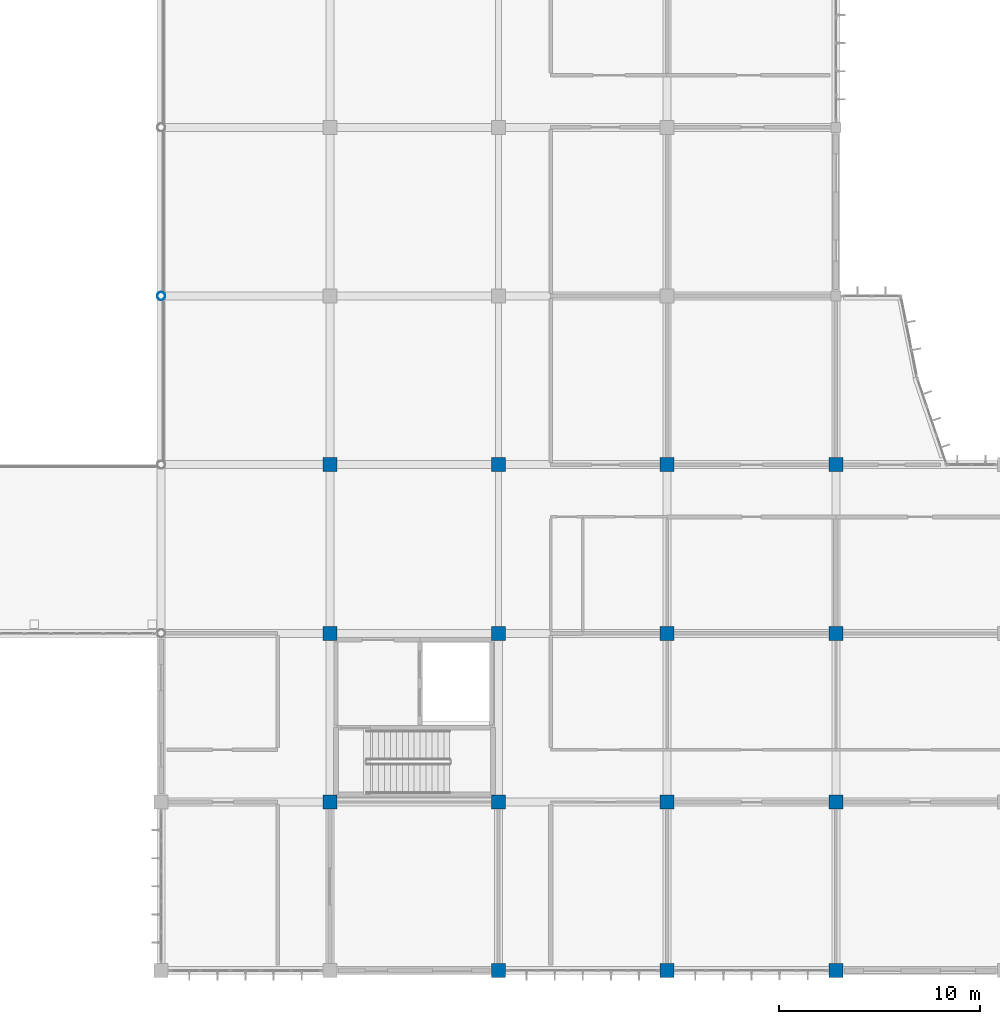
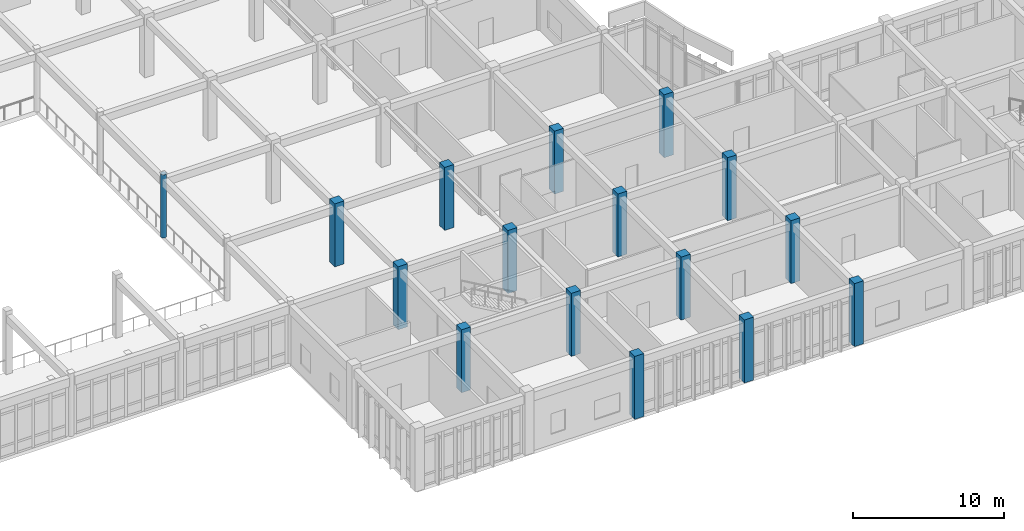
# One storey, part 5 of 134: 16 columns.
"""IFC4 building model written with IfcOpenShell, lengths in metres."""

from ifc_helpers import new_model, si_unit, direction, frame, origin, origin_2d, place, context, subcontext, project, spatial, rectangle, hollow_circle, extrude, material, material_profile, profile_set, type_object, element, save


model = new_model("IFC4")

# Units and contexts
model_context = context("Model", 3, precision=1e-05, world=origin(), true_north=direction((0.0, 1.0)))
body_context = subcontext(model_context, "Body", "Model", "MODEL_VIEW")
ifc_project = project(units=[si_unit("LENGTHUNIT", "METRE"), si_unit("AREAUNIT", "SQUARE_METRE"), si_unit("VOLUMEUNIT", "CUBIC_METRE"), si_unit("PLANEANGLEUNIT", "RADIAN"), si_unit("MASSUNIT", "GRAM", prefix="KILO")], contexts=[model_context])

# Site, building, storey
site_placement = place(None, origin())
site = spatial("IfcSite", under=ifc_project, at=site_placement, CompositionType="ELEMENT")
building_placement = place(site_placement, origin())
building = spatial("IfcBuilding", under=site, at=building_placement, Name="Bramfleet General Hospital", CompositionType="ELEMENT")
storey_placement = place(building_placement, frame((0.0, 0.0, 9.300048828125)))
storey = spatial("IfcBuildingStorey", under=building, at=storey_placement, Name="L02", CompositionType="ELEMENT", Elevation=9.300048828125)

# Columns
ifc_material_1 = material(Name="Steel S355", Category="steel")
ifc_material_profile_1 = material_profile(ifc_material_1, hollow_circle(Radius=0.203125, WallThickness=0.01611328125, at=origin_2d()), Name="CHS 406.4x16.0")
ifc_profile_set_1 = profile_set([ifc_material_profile_1], Name="Steel S355")
column_type_1 = type_object("IfcColumnType", Name="COL-CHS406", PredefinedType="COLUMN", material=ifc_profile_set_1)
column_placement = place(storey_placement, frame((92.39990234375, 33.60009765625, 0.0), z_axis=(0.0, 0.0, 1.0), x_axis=(1.0, 0.0, 0.0)))
element("IfcColumn", 1, at=column_placement, inside=storey, type_object=column_type_1, Name="Column COL-L02-11-04", PredefinedType="COLUMN", context=body_context, shape_type="SweptSolid", body=[
    extrude(hollow_circle(Radius=0.203125, WallThickness=0.01611328125, at=origin_2d()), origin(), (0.0, 0.0, 1.0), 5.099853515625),
])
ifc_material_2 = material(Name="Concrete C40/50", Category="concrete")
ifc_material_profile_2 = material_profile(ifc_material_2, rectangle(XDim=0.699951171875, YDim=0.699951171875, at=origin_2d()), Name="RC COL 700x700")
ifc_profile_set_2 = profile_set([ifc_material_profile_2], Name="Concrete C40/50")
column_type_2 = type_object("IfcColumnType", Name="COL-RC700", PredefinedType="COLUMN", material=ifc_profile_set_2)
for number, where, z_axis, x_axis, name in (
    (2, (100.800048828125, 8.39990234375, 0.0), (0.0, 0.0, 1.0), (1.0, 0.0, 0.0), "Column COL-L02-12-01"),
    (3, (100.800048828125, 16.800048828125, 0.0), (0.0, 0.0, 1.0), (1.0, 0.0, 0.0), "Column COL-L02-12-02"),
    (4, (100.800048828125, 25.199951171875, 0.0), (0.0, 0.0, 1.0), (1.0, 0.0, 0.0), "Column COL-L02-12-03"),
    (5, (109.199951171875, 0.0, 0.0), (0.0, 0.0, 1.0), (1.0, 0.0, 0.0), "Column COL-L02-13-00"),
    (6, (109.199951171875, 8.39990234375, 0.0), (0.0, 0.0, 1.0), (1.0, 0.0, 0.0), "Column COL-L02-13-01"),
    (7, (109.199951171875, 16.800048828125, 0.0), (0.0, 0.0, 1.0), (1.0, 0.0, 0.0), "Column COL-L02-13-02"),
    (8, (109.199951171875, 25.199951171875, 0.0), (0.0, 0.0, 1.0), (1.0, 0.0, 0.0), "Column COL-L02-13-03"),
    (9, (117.60009765625, 0.0, 0.0), (0.0, 0.0, 1.0), (1.0, 0.0, 0.0), "Column COL-L02-14-00"),
    (10, (117.60009765625, 8.39990234375, 0.0), (0.0, 0.0, 1.0), (1.0, 0.0, 0.0), "Column COL-L02-14-01"),
    (11, (117.60009765625, 16.800048828125, 0.0), (0.0, 0.0, 1.0), (1.0, 0.0, 0.0), "Column COL-L02-14-02"),
    (12, (117.60009765625, 25.199951171875, 0.0), (0.0, 0.0, 1.0), (1.0, 0.0, 0.0), "Column COL-L02-14-03"),
    (13, (126.0, 0.0, 0.0), (0.0, 0.0, 1.0), (1.0, 0.0, 0.0), "Column COL-L02-15-00"),
    (14, (126.0, 8.39990234375, 0.0), (0.0, 0.0, 1.0), (1.0, 0.0, 0.0), "Column COL-L02-15-01"),
    (15, (126.0, 16.800048828125, 0.0), (0.0, 0.0, 1.0), (1.0, 0.0, 0.0), "Column COL-L02-15-02"),
    (16, (126.0, 25.199951171875, 0.0), (0.0, 0.0, 1.0), (1.0, 0.0, 0.0), "Column COL-L02-15-03"),
):
    element("IfcColumn", number, at=place(storey_placement, frame(where, z_axis=z_axis, x_axis=x_axis)), inside=storey, type_object=column_type_2, Name=name, PredefinedType="COLUMN", context=body_context, shape_type="SweptSolid", body=[
        extrude(rectangle(XDim=0.699951171875, YDim=0.699951171875, at=origin_2d()), origin(), (0.0, 0.0, 1.0), 5.099853515625),
    ])

save(model, "model.ifc")
